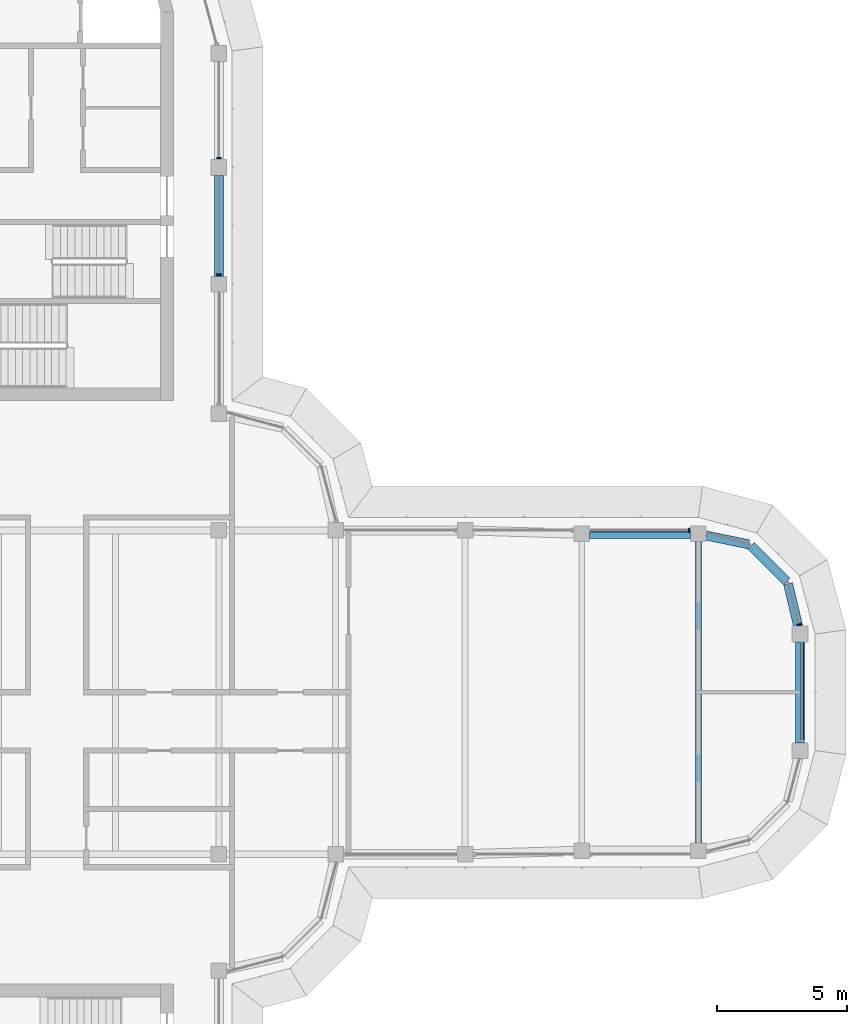
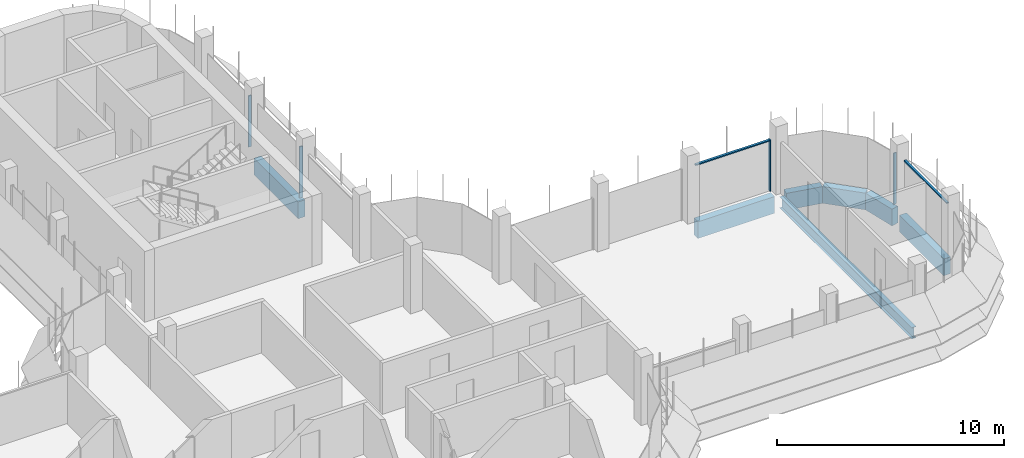
# One storey, part 9 of 19: 7 beams, 6 members, 4 elements without a shape of their own.
"""IFC4 building model written with IfcOpenShell, lengths in metres."""

from ifc_helpers import new_model, si_unit, direction, frame, origin, origin_2d, place, context, subcontext, project, spatial, polyline, rectangle, i_section, outline, extrude, source, transform, mapped, material, material_profile, profile_set, type_object, element, aggregate, save


model = new_model("IFC4")

# Units and contexts
model_context = context("Model", 3, precision=1e-05, world=origin(), true_north=direction((0.0, 1.0)))
body_context = subcontext(model_context, "Body", "Model", "MODEL_VIEW")
ifc_project = project(units=[si_unit("LENGTHUNIT", "METRE"), si_unit("AREAUNIT", "SQUARE_METRE"), si_unit("VOLUMEUNIT", "CUBIC_METRE"), si_unit("PLANEANGLEUNIT", "RADIAN"), si_unit("MASSUNIT", "GRAM", prefix="KILO")], contexts=[model_context])

# Site, building, storey
site_placement = place(None, origin())
site = spatial("IfcSite", under=ifc_project, at=site_placement, CompositionType="ELEMENT")
building_placement = place(site_placement, origin())
building = spatial("IfcBuilding", under=site, at=building_placement, Name="Zarbagh Exchange Tower", CompositionType="ELEMENT")
storey_placement = place(building_placement, frame((0.0, 0.0, 280.199951171875)))
storey = spatial("IfcBuildingStorey", under=building, at=storey_placement, Name="L69", CompositionType="ELEMENT", Elevation=280.199951171875)

# Beams
ifc_material_1 = material(Name="Steel ASTM A992 Gr 50", Category="steel")
ifc_material_profile_1 = material_profile(ifc_material_1, i_section(OverallWidth=0.228271484375, OverallDepth=0.607177734375, WebThickness=0.01123046875, FlangeThickness=0.017333984375, at=origin_2d()), Name="W24X76")
ifc_profile_set_1 = profile_set([ifc_material_profile_1], Name="Steel ASTM A992 Gr 50")
beam_type_1 = type_object("IfcBeamType", Name="Floor beam W24X76", PredefinedType="BEAM", material=ifc_profile_set_1)
beam_1_placement = place(storey_placement, frame((24.75, -5.81005859375, -0.453369140625), z_axis=(0.0, 1.0, 0.0), x_axis=(-1.0, 0.0, 0.0)))
element("IfcBeam", 1, at=beam_1_placement, inside=storey, type_object=beam_type_1, Name="Steel floor beam", PredefinedType="BEAM", context=body_context, shape_type="SweptSolid", body=[
    extrude(i_section(OverallWidth=0.228271484375, OverallDepth=0.607177734375, WebThickness=0.01123046875, FlangeThickness=0.017333984375, at=origin_2d()), origin(), (0.0, 0.0, 1.0), 11.6201171875),
])
ifc_material_2 = material(Name="Concrete C40/50", Category="concrete")
ifc_material_profile_2 = material_profile(ifc_material_2, rectangle(XDim=0.35009765625, YDim=0.89990234375, at=origin_2d()), Name="RC spandrel beam 350 x 900 C40/50")
ifc_profile_set_2 = profile_set([ifc_material_profile_2], Name="Concrete C40/50")
beam_type_2 = type_object("IfcBeamType", Name="RC spandrel beam 350 x 900 C40/50", PredefinedType="SPANDREL", material=ifc_profile_set_2)
for number, where, z_axis, x_axis, name in (
    (2, (6.25, 19.949951171875, -0.599853515625), (0.0, -1.0, 0.0), (1.0, 0.0, 0.0), "RC spandrel beam"),
    (3, (20.550048828125, 6.110107421875, -0.599853515625), (1.0, 0.0, 0.0), (0.0, 1.0, 0.0), "RC spandrel beam"),
):
    element("IfcBeam", number, at=place(storey_placement, frame(where, z_axis=z_axis, x_axis=x_axis)), inside=storey, type_object=beam_type_2, Name=name, PredefinedType="SPANDREL", context=body_context, shape_type="SweptSolid", body=[
        extrude(rectangle(XDim=0.35009765625, YDim=0.89990234375, at=origin_2d()), origin(), (0.0, 0.0, 1.0), 3.89990234375),
    ])
beam_2_placement = place(storey_placement, frame((25.043701171875, 6.04931640625, -0.599853515625), z_axis=(0.979349753205, -0.202173343684, 0.0), x_axis=(0.202173343684, 0.979349753205, 0.0)))
element("IfcBeam", 4, at=beam_2_placement, inside=storey, type_object=beam_type_2, Name="RC spandrel beam", PredefinedType="SPANDREL", context=body_context, shape_type="SweptSolid", body=[
    extrude(rectangle(XDim=0.35009765625, YDim=0.89990234375, at=origin_2d()), origin(), (0.0, 0.0, 1.0), 1.680908203125),
])
beam_3_placement = place(storey_placement, frame((26.7783203125, 5.661865234375, -0.599853515625), z_axis=(0.707106781187, -0.707106781187, 0.0), x_axis=(0.707106781187, 0.707106781187, 0.0)))
element("IfcBeam", 5, at=beam_3_placement, inside=storey, type_object=beam_type_2, Name="RC spandrel beam", PredefinedType="SPANDREL", context=body_context, shape_type="SweptSolid", body=[
    extrude(rectangle(XDim=0.35009765625, YDim=0.89990234375, at=origin_2d()), origin(), (0.0, 0.0, 1.0), 1.95947265625),
])
beam_4_placement = place(storey_placement, frame((28.210205078125, 4.19287109375, -0.599853515625), z_axis=(0.230258391117, -0.973129525459, 0.0), x_axis=(0.973129525459, 0.230258391117, 0.0)))
element("IfcBeam", 6, at=beam_4_placement, inside=storey, type_object=beam_type_2, Name="RC spandrel beam", PredefinedType="SPANDREL", context=body_context, shape_type="SweptSolid", body=[
    extrude(rectangle(XDim=0.35009765625, YDim=0.89990234375, at=origin_2d()), origin(), (0.0, 0.0, 1.0), 1.696533203125),
])
beam_5_placement = place(storey_placement, frame((28.669921875, 1.949951171875, -0.599853515625), z_axis=(0.0, -1.0, 0.0), x_axis=(1.0, 0.0, 0.0)))
element("IfcBeam", 7, at=beam_5_placement, inside=storey, type_object=beam_type_2, Name="RC spandrel beam", PredefinedType="SPANDREL", context=body_context, shape_type="SweptSolid", body=[
    extrude(rectangle(XDim=0.35009765625, YDim=0.89990234375, at=origin_2d()), origin(), (0.0, 0.0, 1.0), 3.89990234375),
])

# Curtain wall, member
ifc_material_3 = material(Name="Anodised aluminium frame and glazing", Category="aluminium")
curtain_wall_type = type_object("IfcCurtainWallType", Name="CWB Ribbon glazing, upper zones", PredefinedType="NOTDEFINED", material=ifc_material_3)
curtain_wall_1_placement = place(storey_placement, origin())
curtain_wall_1 = element("IfcCurtainWall", 8, at=curtain_wall_1_placement, inside=storey, type_object=curtain_wall_type, Name="CWB79 curtain wall", PredefinedType="NOTDEFINED")
ifc_material_4 = material(Name="Anodised aluminium frame", Category="aluminium")
member_type_1 = type_object("IfcMemberType", Name="MUB Mullion, anodised aluminium frame", PredefinedType="MULLION", material=ifc_material_4)
shared_shape_1 = source(origin(), body_context, "Body", "SweptSolid", [
    extrude(outline(polyline([(0.0, -0.080078125), (0.06005859375, -0.080078125), (0.06005859375, 0.080078125), (0.0, 0.080078125), (0.0, -0.080078125)])), origin(), (0.0, 0.0, 1.0), 2.75),
])
placement = place(storey_placement, origin())
member_1 = element("IfcMember", 9, at=placement, type_object=member_type_1, Name="CWB79 mullion 1.1", PredefinedType="MULLION", context=body_context, shape_type="MappedRepresentation", body=[
    mapped(shared_shape_1, transform((28.641357421875, 2.58984375, 0.0), x_axis=(-0.258824779902, 0.965924289636, 0.0), y_axis=(-0.965924289636, -0.258824779902, 0.0), z_axis=(0.0, 0.0, 1.0))),
])
aggregate(curtain_wall_1, [member_1])

curtain_wall_2_placement = place(storey_placement, origin())
curtain_wall_2 = element("IfcCurtainWall", 10, at=curtain_wall_2_placement, inside=storey, type_object=curtain_wall_type, Name="CWB82 curtain wall", PredefinedType="NOTDEFINED")
member_2 = element("IfcMember", 11, at=placement, type_object=member_type_1, Name="CWB82 mullion 1.1", PredefinedType="MULLION", context=body_context, shape_type="MappedRepresentation", body=[
    mapped(shared_shape_1, transform((24.409912109375, 6.25, 0.0), x_axis=(-1.0, 0.0, 0.0), y_axis=(0.0, -1.0, 0.0), z_axis=(0.0, 0.0, 1.0))),
])

# Curtain wall, members
curtain_wall_3_placement = place(storey_placement, origin())
curtain_wall_3 = element("IfcCurtainWall", 12, at=curtain_wall_3_placement, inside=storey, type_object=curtain_wall_type, Name="CWB67 curtain wall", PredefinedType="NOTDEFINED")
member_3 = element("IfcMember", 13, at=placement, type_object=member_type_1, Name="CWB67 mullion 2.1", PredefinedType="MULLION", context=body_context, shape_type="MappedRepresentation", body=[
    mapped(shared_shape_1, transform((6.25, 16.090087890625, 0.0), x_axis=(0.0, 1.0, 0.0), y_axis=(-1.0, 0.0, 0.0), z_axis=(0.0, 0.0, 1.0))),
])
member_4 = element("IfcMember", 14, at=placement, type_object=member_type_1, Name="CWB67 mullion 3.1", PredefinedType="MULLION", context=body_context, shape_type="MappedRepresentation", body=[
    mapped(shared_shape_1, transform((6.25, 20.590087890625, 0.0), x_axis=(0.0, 1.0, 0.0), y_axis=(-1.0, 0.0, 0.0), z_axis=(0.0, 0.0, 1.0))),
])
aggregate(curtain_wall_3, [member_3, member_4])

# Curtain wall, member
curtain_wall_4_placement = place(storey_placement, origin())
curtain_wall_4 = element("IfcCurtainWall", 15, at=curtain_wall_4_placement, inside=storey, type_object=curtain_wall_type, Name="CWB83 curtain wall", PredefinedType="NOTDEFINED")
member_type_2 = type_object("IfcMemberType", Name="TRB Transom, anodised aluminium frame", PredefinedType="USERDEFINED", material=ifc_material_4)
shared_shape_2 = source(origin(), body_context, "Body", "SweptSolid", [
    extrude(outline(polyline([(-0.06005859375, -0.06005859375), (0.0, -0.06005859375), (0.0, 0.06005859375), (-0.06005859375, 0.06005859375), (-0.06005859375, -0.06005859375)])), origin(), (0.0, 0.0, 1.0), 3.760009765625),
])
member_5 = element("IfcMember", 16, at=placement, type_object=member_type_2, Name="CWB83 transom 1.1", ObjectType="TRANSOM", PredefinedType="USERDEFINED", context=body_context, shape_type="MappedRepresentation", body=[
    mapped(shared_shape_2, transform((28.75, -1.849853515625, 2.75), x_axis=(0.0, 0.0, 1.0), y_axis=(1.0, 0.0, 0.0), z_axis=(0.0, 1.0, 0.0))),
])
aggregate(curtain_wall_4, [member_5])

# Member
member_6 = element("IfcMember", 17, at=placement, type_object=member_type_2, Name="CWB82 transom 1.1", ObjectType="TRANSOM", PredefinedType="USERDEFINED", context=body_context, shape_type="MappedRepresentation", body=[
    mapped(shared_shape_2, transform((24.349853515625, 6.25, 2.75), x_axis=(0.0, 0.0, 1.0), y_axis=(0.0, 1.0, 0.0), z_axis=(-1.0, 0.0, 0.0))),
])

aggregate(curtain_wall_2, [member_2, member_6])

save(model, "model.ifc")
